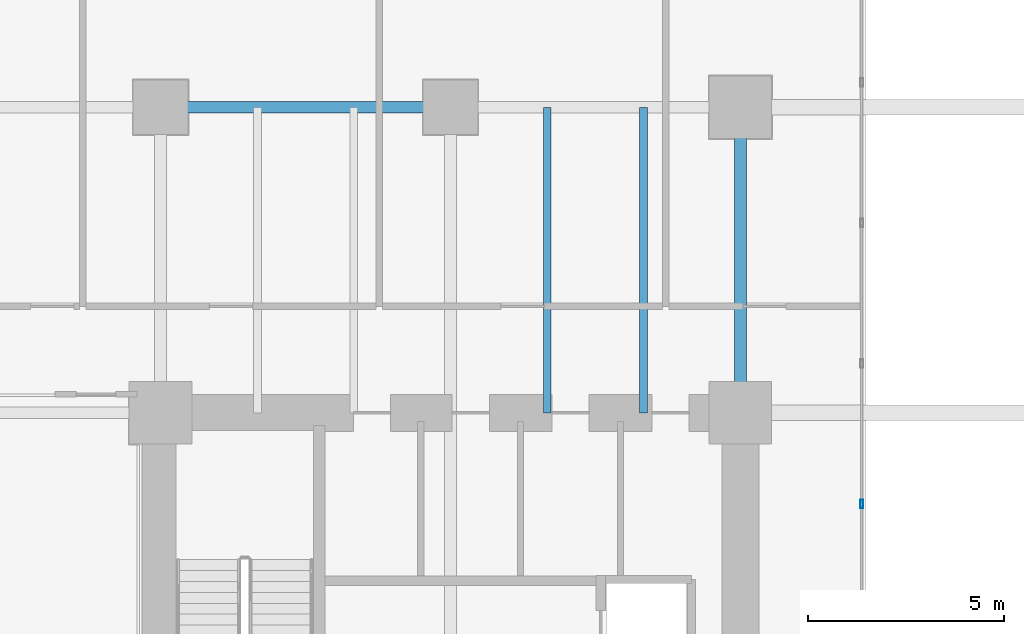
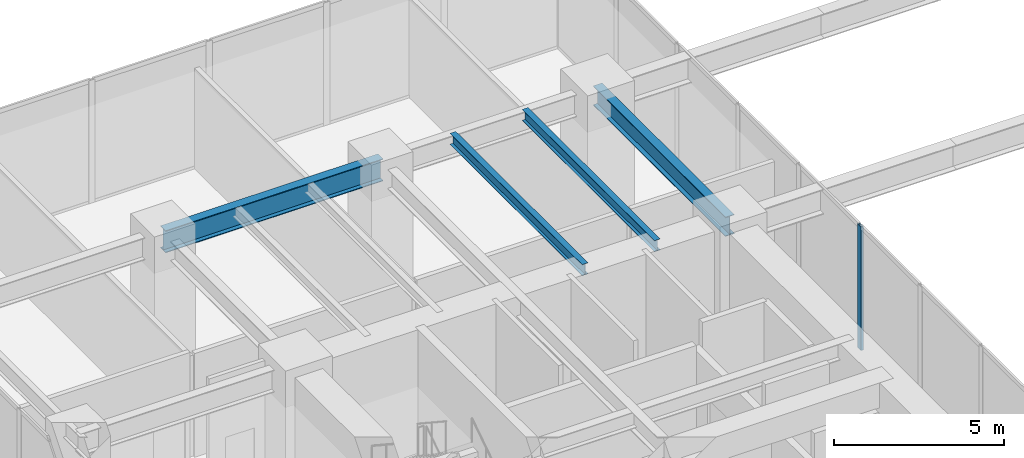
# One storey, part 16 of 39: 4 beams, 1 member, 1 element without a shape of its own.
"""IFC4 building model written with IfcOpenShell, lengths in metres."""

from ifc_helpers import new_model, si_unit, direction, frame, origin, origin_2d, place, context, subcontext, project, spatial, hollow_rectangle, i_section, extrude, source, transform, mapped, material, layer, layer_set, material_profile, profile_set, type_object, type_shapes, element, aggregate, save


model = new_model("IFC4")

# Units and contexts
model_context = context("Model", 3, precision=1e-05, world=origin(), true_north=direction((0.0, 1.0)))
body_context = subcontext(model_context, "Body", "Model", "MODEL_VIEW")
ifc_project = project(units=[si_unit("LENGTHUNIT", "METRE"), si_unit("AREAUNIT", "SQUARE_METRE"), si_unit("VOLUMEUNIT", "CUBIC_METRE"), si_unit("PLANEANGLEUNIT", "RADIAN"), si_unit("MASSUNIT", "GRAM", prefix="KILO")], contexts=[model_context])

# Site, building, storey
site_placement = place(None, origin())
site = spatial("IfcSite", under=ifc_project, at=site_placement, CompositionType="ELEMENT")
building_placement = place(site_placement, origin())
building = spatial("IfcBuilding", under=site, at=building_placement, Name="Haelvirn Gate Laboratories", CompositionType="ELEMENT")
storey_placement = place(building_placement, frame((0.0, 0.0, 15.0)))
storey = spatial("IfcBuildingStorey", under=building, at=storey_placement, Name="L04", CompositionType="ELEMENT", Elevation=15.0)

# Beams
ifc_material_1 = material(Name="Steel SM420", Category="steel")
ifc_material_profile_1 = material_profile(ifc_material_1, i_section(OverallWidth=0.300048828125, OverallDepth=0.800048828125, WebThickness=0.013916015625, FlangeThickness=0.02587890625, at=origin_2d()), Name="H-800x300x14x26")
ifc_profile_set_1 = profile_set([ifc_material_profile_1], Name="Steel SM420")
beam_type_1 = type_object("IfcBeamType", Name="BM-G-800", PredefinedType="BEAM", material=ifc_profile_set_1)
shared_shape_1 = source(origin(), body_context, "Body", "SweptSolid", [
    extrude(i_section(OverallWidth=0.300048828125, OverallDepth=0.800048828125, WebThickness=0.013916015625, FlangeThickness=0.02587890625, at=origin_2d()), origin(), (0.0, 0.0, 1.0), 7.400146484375),
])
type_shapes(beam_type_1, [shared_shape_1])
beam_1_placement = place(storey_placement, frame((7.39990234375, 41.60009765625, 4.050048828125), z_axis=(1.0, 0.0, 0.0), x_axis=(0.0, 1.0, 0.0)))
element("IfcBeam", 1, at=beam_1_placement, inside=storey, type_object=beam_type_1, Name="L04 Primary Girder Y41.6 (7.4-14.8)", PredefinedType="BEAM", context=body_context, shape_type="MappedRepresentation", body=[
    mapped(shared_shape_1, transform((0.0, 0.0, 0.0), scale=1.0)),
])
ifc_material_2 = material(Name="Steel SM355", Category="steel")
ifc_material_profile_2 = material_profile(ifc_material_2, i_section(OverallWidth=0.199951171875, OverallDepth=0.39990234375, WebThickness=0.008056640625, FlangeThickness=0.012939453125, at=origin_2d()), Name="H-400x200x8x13")
ifc_profile_set_2 = profile_set([ifc_material_profile_2], Name="Steel SM355")
beam_type_2 = type_object("IfcBeamType", Name="BM-J-400", PredefinedType="JOIST", material=ifc_profile_set_2)
shared_shape_2 = source(origin(), body_context, "Body", "SweptSolid", [
    extrude(i_section(OverallWidth=0.199951171875, OverallDepth=0.39990234375, WebThickness=0.008056640625, FlangeThickness=0.012939453125, at=origin_2d()), origin(), (0.0, 0.0, 1.0), 7.800048828125),
])
type_shapes(beam_type_2, [shared_shape_2])
for number, where, z_axis, x_axis, name in (
    (2, (17.27001953125, 33.800048828125, 4.25), (0.0, 1.0, 0.0), (-1.0, 0.0, 0.0), "L04 Composite Lab Joist North X17.27"),
    (3, (19.72998046875, 33.800048828125, 4.25), (0.0, 1.0, 0.0), (-1.0, 0.0, 0.0), "L04 Composite Lab Joist North X19.73"),
):
    element("IfcBeam", number, at=place(storey_placement, frame(where, z_axis=z_axis, x_axis=x_axis)), inside=storey, type_object=beam_type_2, Name=name, PredefinedType="JOIST", context=body_context, shape_type="MappedRepresentation", body=[
        mapped(shared_shape_2, transform((0.0, 0.0, 0.0), scale=1.0)),
    ])
ifc_material_profile_3 = material_profile(ifc_material_2, i_section(OverallWidth=0.300048828125, OverallDepth=0.699951171875, WebThickness=0.012939453125, FlangeThickness=0.02392578125, at=origin_2d()), Name="H-700x300x13x24")
ifc_profile_set_3 = profile_set([ifc_material_profile_3], Name="Steel SM355")
beam_type_3 = type_object("IfcBeamType", Name="BM-G-700", PredefinedType="BEAM", material=ifc_profile_set_3)
shared_shape_3 = source(origin(), body_context, "Body", "SweptSolid", [
    extrude(i_section(OverallWidth=0.300048828125, OverallDepth=0.699951171875, WebThickness=0.012939453125, FlangeThickness=0.02392578125, at=origin_2d()), origin(), (0.0, 0.0, 1.0), 7.800048828125),
])
type_shapes(beam_type_3, [shared_shape_3])
beam_2_placement = place(storey_placement, frame((22.199951171875, 33.800048828125, 4.10009765625), z_axis=(0.0, 1.0, 0.0), x_axis=(-1.0, 0.0, 0.0)))
element("IfcBeam", 4, at=beam_2_placement, inside=storey, type_object=beam_type_3, Name="L04 Frame Girder X22.2 (33.8-41.6)", PredefinedType="BEAM", context=body_context, shape_type="MappedRepresentation", body=[
    mapped(shared_shape_3, transform((0.0, 0.0, 0.0), scale=1.0)),
])

# Curtain wall, member
ifc_material_3 = material(Name="Anodised bronze unitised aluminium & triple low-E glass", Category="aluminium")
ifc_layer = layer(ifc_material_3, 0.18798828125, Name="CW-SYS-1")
ifc_layer_set = layer_set([ifc_layer], Name="Anodised bronze unitised aluminium & triple low-E glass")
curtain_wall_type = type_object("IfcCurtainWallType", Name="CW-SYS-1", PredefinedType="NOTDEFINED", material=ifc_layer_set)
curtain_wall_placement = place(storey_placement, origin())
curtain_wall = element("IfcCurtainWall", 5, at=curtain_wall_placement, inside=storey, type_object=curtain_wall_type, Name="L04 Unitised Curtain Wall CW-L04-P0-E01", PredefinedType="NOTDEFINED")
ifc_material_4 = material(Name="Extruded aluminium 6063-T6 (anodised bronze)", Category="aluminium")
ifc_material_profile_4 = material_profile(ifc_material_4, hollow_rectangle(XDim=0.080078125, YDim=0.219970703125, WallThickness=0.006103515625, at=origin_2d()), Name="CWM-220x80x6")
ifc_profile_set_4 = profile_set([ifc_material_profile_4], Name="Extruded aluminium 6063-T6 (anodised bronze)")
member_type = type_object("IfcMemberType", Name="CWM-T220", PredefinedType="MULLION", material=ifc_profile_set_4)
shared_shape_4 = source(origin(), body_context, "Body", "SweptSolid", [
    extrude(hollow_rectangle(XDim=0.080078125, YDim=0.219970703125, WallThickness=0.006103515625, at=origin_2d()), origin(), (0.0, 0.0, 1.0), 4.449951171875),
])
type_shapes(member_type, [shared_shape_4])
member_placement = place(storey_placement, frame((25.300048828125, 31.471435546875, 0.0), z_axis=(0.0, 0.0, 1.0), x_axis=(-1.0, 0.0, 0.0)))
member = element("IfcMember", 6, at=member_placement, type_object=member_type, Name="CW1 mullion 10", PredefinedType="MULLION", context=body_context, shape_type="MappedRepresentation", body=[
    mapped(shared_shape_4, transform((0.0, 0.0, 0.0), scale=1.0)),
])
aggregate(curtain_wall, [member])

save(model, "model.ifc")
